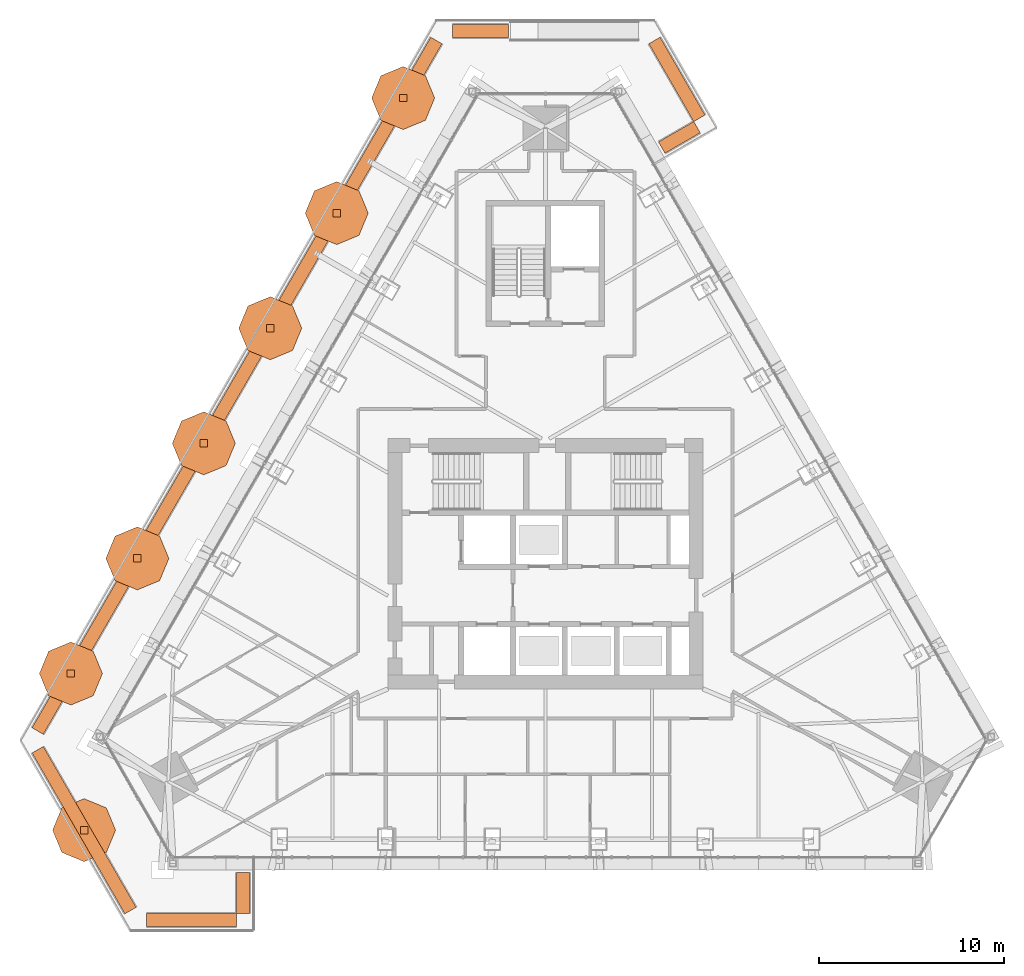
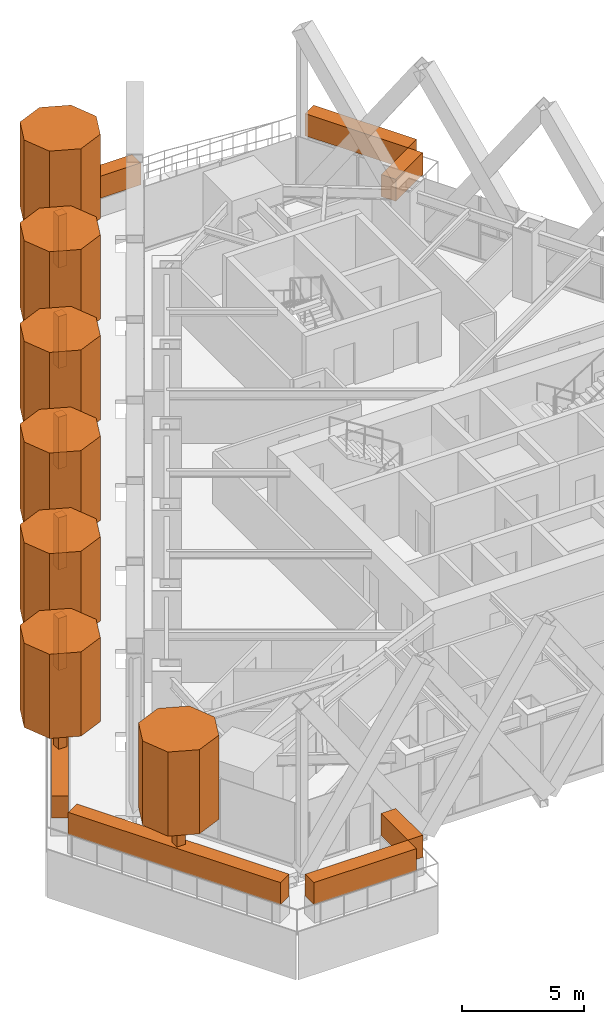
# One storey, part 24 of 24: 21 geographic elements.
"""IFC4 building model written with IfcOpenShell, lengths in metres."""

from ifc_helpers import new_model, si_unit, direction, frame, origin, origin_2d, place, context, subcontext, project, spatial, polyline, rectangle, outline, extrude, material, type_object, element, save


model = new_model("IFC4")

# Units and contexts
model_context = context("Model", 3, precision=1e-05, world=origin(), true_north=direction((0.0, 1.0)))
body_context = subcontext(model_context, "Body", "Model", "MODEL_VIEW")
ifc_project = project(units=[si_unit("LENGTHUNIT", "METRE"), si_unit("AREAUNIT", "SQUARE_METRE"), si_unit("VOLUMEUNIT", "CUBIC_METRE"), si_unit("PLANEANGLEUNIT", "RADIAN"), si_unit("MASSUNIT", "GRAM", prefix="KILO")], contexts=[model_context])

# Site, building, storey
site_placement = place(None, origin())
site = spatial("IfcSite", under=ifc_project, at=site_placement, CompositionType="ELEMENT")
building_placement = place(site_placement, origin())
building = spatial("IfcBuilding", under=site, at=building_placement, Name="Firuza Gate Tower and Library", CompositionType="ELEMENT")
storey_placement = place(building_placement, frame((0.0, 0.0, 323.10009765625)))
storey = spatial("IfcBuildingStorey", under=building, at=storey_placement, Name="L79", CompositionType="ELEMENT", Elevation=323.10009765625)

# Geographic elements
ifc_material_1 = material(Name="Foliage")
geographic_element_type_1 = type_object("IfcGeographicElementType", Name="Planted hedge", PredefinedType="USERDEFINED", material=ifc_material_1)
geographic_element_1_placement = place(storey_placement, frame((82.22705078125, 98.01025390625, 0.89990234375), z_axis=(0.0, 0.0, 1.0), x_axis=(0.866025403784, 0.5, 0.0)))
element("IfcGeographicElement", 1, at=geographic_element_1_placement, inside=storey, type_object=geographic_element_type_1, Name="Planted hedge", ObjectType="HEDGE", PredefinedType="USERDEFINED", context=body_context, shape_type="SweptSolid", body=[
    extrude(rectangle(XDim=2.199951171875, YDim=0.699951171875, at=origin_2d()), origin(), (0.0, 0.0, 1.0), 1.10009765625),
])
geographic_element_2_placement = place(storey_placement, frame((82.095458984375, 101.13818359375, 0.89990234375), z_axis=(0.0, 0.0, 1.0), x_axis=(-0.5, 0.866025403784, 0.0)))
element("IfcGeographicElement", 2, at=geographic_element_2_placement, inside=storey, type_object=geographic_element_type_1, Name="Planted hedge", ObjectType="HEDGE", PredefinedType="USERDEFINED", context=body_context, shape_type="SweptSolid", body=[
    extrude(rectangle(XDim=4.849365234375, YDim=0.699951171875, at=origin_2d()), origin(), (0.0, 0.0, 1.0), 1.10009765625),
])
geographic_element_3_placement = place(storey_placement, frame((71.5, 103.74267578125, 0.89990234375), z_axis=(0.0, 0.0, 1.0), x_axis=(-1.0, 0.0, 0.0)))
element("IfcGeographicElement", 3, at=geographic_element_3_placement, inside=storey, type_object=geographic_element_type_1, Name="Planted hedge", ObjectType="HEDGE", PredefinedType="USERDEFINED", context=body_context, shape_type="SweptSolid", body=[
    extrude(rectangle(XDim=3.018798828125, YDim=0.699951171875, at=origin_2d()), origin(), (0.0, 0.0, 1.0), 1.10009765625),
])
geographic_element_4_placement = place(storey_placement, frame((58.360107421875, 84.60693359375, 0.89990234375), z_axis=(0.0, 0.0, 1.0), x_axis=(-0.5, -0.866025403784, 0.0)))
element("IfcGeographicElement", 4, at=geographic_element_4_placement, inside=storey, type_object=geographic_element_type_1, Name="Planted hedge", ObjectType="HEDGE", PredefinedType="USERDEFINED", context=body_context, shape_type="SweptSolid", body=[
    extrude(rectangle(XDim=43.02685546875, YDim=0.699951171875, at=origin_2d()), origin(), (0.0, 0.0, 1.0), 1.10009765625),
])
geographic_element_5_placement = place(storey_placement, frame((50.108154296875, 60.628662109375, 0.89990234375), z_axis=(0.0, 0.0, 1.0), x_axis=(0.5, -0.866025403784, 0.0)))
element("IfcGeographicElement", 5, at=geographic_element_5_placement, inside=storey, type_object=geographic_element_type_1, Name="Planted hedge", ObjectType="HEDGE", PredefinedType="USERDEFINED", context=body_context, shape_type="SweptSolid", body=[
    extrude(rectangle(XDim=10.018798828125, YDim=0.699951171875, at=origin_2d()), origin(), (0.0, 0.0, 1.0), 1.10009765625),
])
geographic_element_6_placement = place(storey_placement, frame((55.911376953125, 55.7861328125, 0.89990234375), z_axis=(0.0, 0.0, 1.0), x_axis=(1.0, 0.0, 0.0)))
element("IfcGeographicElement", 6, at=geographic_element_6_placement, inside=storey, type_object=geographic_element_type_1, Name="Planted hedge", ObjectType="HEDGE", PredefinedType="USERDEFINED", context=body_context, shape_type="SweptSolid", body=[
    extrude(rectangle(XDim=4.849365234375, YDim=0.699951171875, at=origin_2d()), origin(), (0.0, 0.0, 1.0), 1.10009765625),
])
geographic_element_7_placement = place(storey_placement, frame((58.68603515625, 57.236083984375, 0.89990234375), z_axis=(0.0, 0.0, 1.0), x_axis=(0.0, 1.0, 0.0)))
element("IfcGeographicElement", 7, at=geographic_element_7_placement, inside=storey, type_object=geographic_element_type_1, Name="Planted hedge", ObjectType="HEDGE", PredefinedType="USERDEFINED", context=body_context, shape_type="SweptSolid", body=[
    extrude(rectangle(XDim=2.199951171875, YDim=0.699951171875, at=origin_2d()), origin(), (0.0, 0.0, 1.0), 1.10009765625),
])
ifc_material_2 = material(Name="Foliage")
geographic_element_type_2 = type_object("IfcGeographicElementType", Name="Planted tree canopy", PredefinedType="USERDEFINED", material=ifc_material_2)
placement = place(storey_placement, frame((0.0, 0.0, 3.5)))
element("IfcGeographicElement", 8, at=placement, inside=storey, type_object=geographic_element_type_2, Name="Tree canopy", ObjectType="TREE CANOPY", PredefinedType="USERDEFINED", context=body_context, shape_type="SweptSolid", body=[
    extrude(outline(polyline([(69.024169921875, 100.133056640625), (68.526123046875, 101.3349609375), (67.32421875, 101.8330078125), (66.1220703125, 101.3349609375), (65.6240234375, 100.133056640625), (66.1220703125, 98.930908203125), (67.32421875, 98.432861328125), (68.526123046875, 98.930908203125), (69.024169921875, 100.133056640625)])), origin(), (0.0, 0.0, 1.0), 4.199951171875),
])
element("IfcGeographicElement", 9, at=placement, inside=storey, type_object=geographic_element_type_2, Name="Tree canopy", ObjectType="TREE CANOPY", PredefinedType="USERDEFINED", context=body_context, shape_type="SweptSolid", body=[
    extrude(outline(polyline([(65.4384765625, 93.922607421875), (64.940673828125, 95.124755859375), (63.738525390625, 95.62255859375), (62.536376953125, 95.124755859375), (62.03857421875, 93.922607421875), (62.536376953125, 92.720458984375), (63.738525390625, 92.22265625), (64.940673828125, 92.720458984375), (65.4384765625, 93.922607421875)])), origin(), (0.0, 0.0, 1.0), 4.199951171875),
])
element("IfcGeographicElement", 10, at=placement, inside=storey, type_object=geographic_element_type_2, Name="Tree canopy", ObjectType="TREE CANOPY", PredefinedType="USERDEFINED", context=body_context, shape_type="SweptSolid", body=[
    extrude(outline(polyline([(61.85302734375, 87.712158203125), (61.35498046875, 88.914306640625), (60.153076171875, 89.412109375), (58.950927734375, 88.914306640625), (58.452880859375, 87.712158203125), (58.950927734375, 86.510009765625), (60.153076171875, 86.01220703125), (61.35498046875, 86.510009765625), (61.85302734375, 87.712158203125)])), origin(), (0.0, 0.0, 1.0), 4.199951171875),
])
element("IfcGeographicElement", 11, at=placement, inside=storey, type_object=geographic_element_type_2, Name="Tree canopy", ObjectType="TREE CANOPY", PredefinedType="USERDEFINED", context=body_context, shape_type="SweptSolid", body=[
    extrude(outline(polyline([(58.267333984375, 81.501708984375), (57.76953125, 82.703857421875), (56.5673828125, 83.201904296875), (55.365234375, 82.703857421875), (54.867431640625, 81.501708984375), (55.365234375, 80.2998046875), (56.5673828125, 79.8017578125), (57.76953125, 80.2998046875), (58.267333984375, 81.501708984375)])), origin(), (0.0, 0.0, 1.0), 4.199951171875),
])
element("IfcGeographicElement", 12, at=placement, inside=storey, type_object=geographic_element_type_2, Name="Tree canopy", ObjectType="TREE CANOPY", PredefinedType="USERDEFINED", context=body_context, shape_type="SweptSolid", body=[
    extrude(outline(polyline([(54.681884765625, 75.29150390625), (54.183837890625, 76.493408203125), (52.98193359375, 76.991455078125), (51.77978515625, 76.493408203125), (51.281982421875, 75.29150390625), (51.77978515625, 74.08935546875), (52.98193359375, 73.59130859375), (54.183837890625, 74.08935546875), (54.681884765625, 75.29150390625)])), origin(), (0.0, 0.0, 1.0), 4.199951171875),
])
element("IfcGeographicElement", 13, at=placement, inside=storey, type_object=geographic_element_type_2, Name="Tree canopy", ObjectType="TREE CANOPY", PredefinedType="USERDEFINED", context=body_context, shape_type="SweptSolid", body=[
    extrude(outline(polyline([(51.09619140625, 69.0810546875), (50.598388671875, 70.283203125), (49.396240234375, 70.781005859375), (48.1943359375, 70.283203125), (47.6962890625, 69.0810546875), (48.1943359375, 67.87890625), (49.396240234375, 67.381103515625), (50.598388671875, 67.87890625), (51.09619140625, 69.0810546875)])), origin(), (0.0, 0.0, 1.0), 4.199951171875),
])
element("IfcGeographicElement", 14, at=placement, inside=storey, type_object=geographic_element_type_2, Name="Tree canopy", ObjectType="TREE CANOPY", PredefinedType="USERDEFINED", context=body_context, shape_type="SweptSolid", body=[
    extrude(outline(polyline([(51.80810546875, 60.628662109375), (51.310302734375, 61.830810546875), (50.108154296875, 62.32861328125), (48.90625, 61.830810546875), (48.408203125, 60.628662109375), (48.90625, 59.4267578125), (50.108154296875, 58.9287109375), (51.310302734375, 59.4267578125), (51.80810546875, 60.628662109375)])), origin(), (0.0, 0.0, 1.0), 4.199951171875),
])
ifc_material_3 = material(Name="Timber", Category="wood")
geographic_element_type_3 = type_object("IfcGeographicElementType", Name="Planted tree trunk", PredefinedType="USERDEFINED", material=ifc_material_3)
for number, where, z_axis, x_axis, name in (
    (15, (67.32421875, 100.133056640625, 0.89990234375), (0.0, 0.0, 1.0), (1.0, 0.0, 0.0), "Tree trunk"),
    (16, (63.738525390625, 93.922607421875, 0.89990234375), (0.0, 0.0, 1.0), (1.0, 0.0, 0.0), "Tree trunk"),
    (17, (60.153076171875, 87.712158203125, 0.89990234375), (0.0, 0.0, 1.0), (1.0, 0.0, 0.0), "Tree trunk"),
    (18, (56.5673828125, 81.501708984375, 0.89990234375), (0.0, 0.0, 1.0), (1.0, 0.0, 0.0), "Tree trunk"),
    (19, (52.98193359375, 75.29150390625, 0.89990234375), (0.0, 0.0, 1.0), (1.0, 0.0, 0.0), "Tree trunk"),
    (20, (49.396240234375, 69.0810546875, 0.89990234375), (0.0, 0.0, 1.0), (1.0, 0.0, 0.0), "Tree trunk"),
    (21, (50.108154296875, 60.628662109375, 0.89990234375), (0.0, 0.0, 1.0), (1.0, 0.0, 0.0), "Tree trunk"),
):
    element("IfcGeographicElement", number, at=place(storey_placement, frame(where, z_axis=z_axis, x_axis=x_axis)), inside=storey, type_object=geographic_element_type_3, Name=name, ObjectType="TREE TRUNK", PredefinedType="USERDEFINED", context=body_context, shape_type="SweptSolid", body=[
        extrude(rectangle(XDim=0.39990234375, YDim=0.39990234375, at=origin_2d()), origin(), (0.0, 0.0, 1.0), 2.60009765625),
    ])

save(model, "model.ifc")
